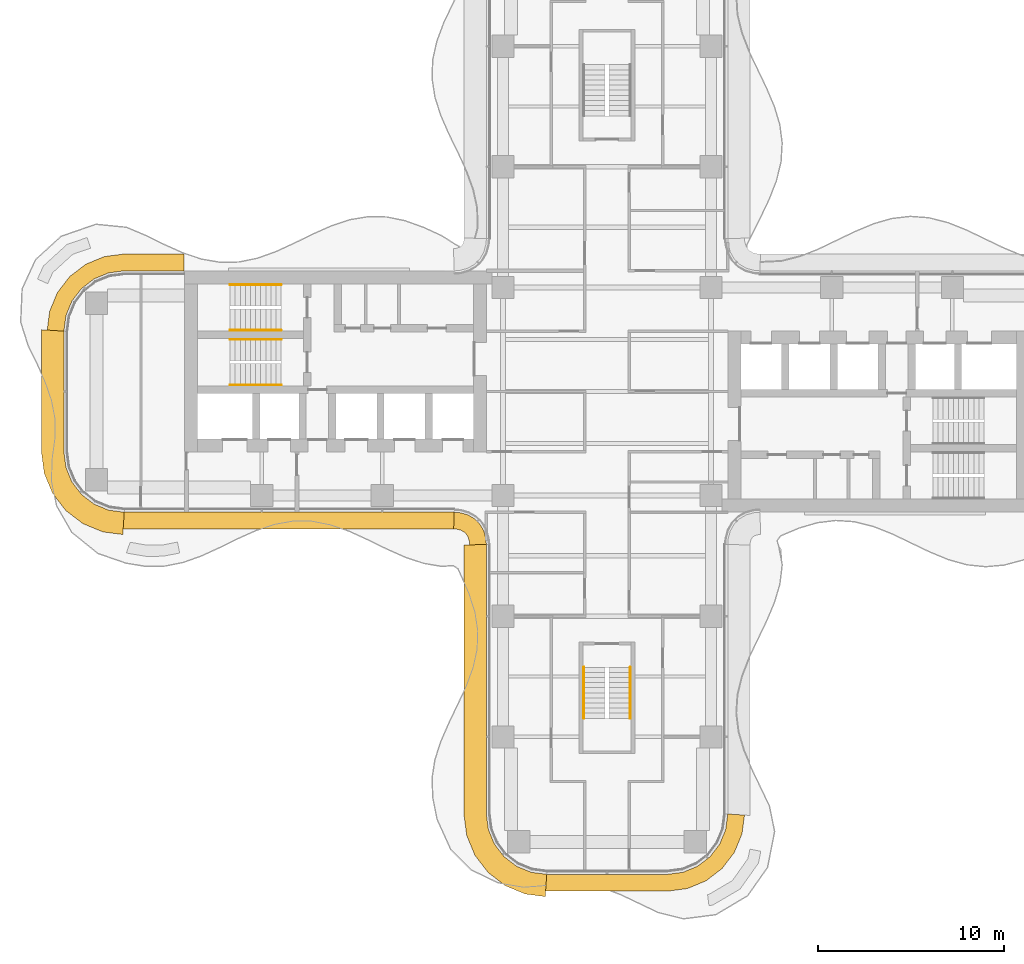
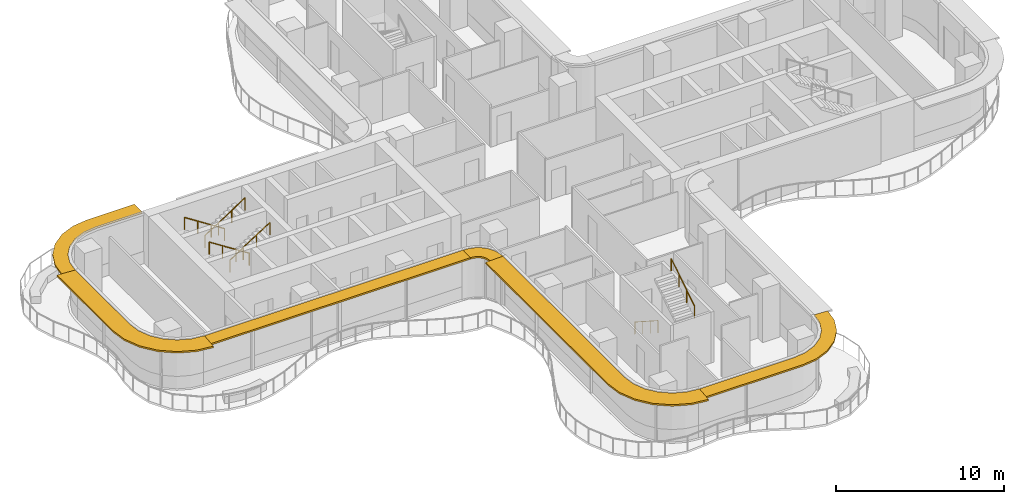
# One storey, part 16 of 17: 6 railings, 6 shading devices.
"""IFC4 building model written with IfcOpenShell, lengths in metres."""

from ifc_helpers import new_model, si_unit, direction, frame, origin, origin_2d, place, context, subcontext, project, spatial, polyline, circle, outline, extrude, source, transform, mapped, material, layer, layer_set, type_object, element, save


model = new_model("IFC4")

# Units and contexts
model_context = context("Model", 3, precision=1e-05, world=origin(), true_north=direction((0.0, 1.0)))
body_context = subcontext(model_context, "Body", "Model", "MODEL_VIEW")
ifc_project = project(units=[si_unit("LENGTHUNIT", "METRE"), si_unit("AREAUNIT", "SQUARE_METRE"), si_unit("VOLUMEUNIT", "CUBIC_METRE"), si_unit("PLANEANGLEUNIT", "RADIAN"), si_unit("MASSUNIT", "GRAM", prefix="KILO")], contexts=[model_context])

# Site, building, storey
site_placement = place(None, origin())
site = spatial("IfcSite", under=ifc_project, at=site_placement, CompositionType="ELEMENT")
building_placement = place(site_placement, origin())
building = spatial("IfcBuilding", under=site, at=building_placement, Name="Trellis Farm Tower", CompositionType="ELEMENT")
storey_placement = place(building_placement, frame((0.0, 0.0, 181.5)))
storey = spatial("IfcBuildingStorey", under=building, at=storey_placement, Name="L39", CompositionType="ELEMENT", Elevation=181.5)

# Railings
ifc_material_1 = material(Name="Stainless steel", Category="steel")
railing_type = type_object("IfcRailingType", Name="STAIR HANDRAIL 900", PredefinedType="HANDRAIL", material=ifc_material_1)
shared_shape_1 = source(origin(), body_context, "Body", "SweptSolid", [
    extrude(circle(Radius=0.02392578125, at=origin_2d()), frame((0.0, 0.0, 0.8759765625), z_axis=(0.0, 0.840503830235, 0.541805602924), x_axis=(-1.0, 0.0, 0.0)), (0.0, 0.0, 1.0), 3.271728515625),
    extrude(circle(Radius=0.02099609375, at=origin_2d()), origin(), (0.0, 0.0, 1.0), 0.851806640625),
    extrude(circle(Radius=0.02099609375, at=origin_2d()), frame((0.0, 0.916748046875, 0.5908203125)), (0.0, 0.0, 1.0), 0.851806640625),
    extrude(circle(Radius=0.02099609375, at=origin_2d()), frame((0.0, 1.833251953125, 1.181884765625)), (0.0, 0.0, 1.0), 0.851806640625),
    extrude(circle(Radius=0.02099609375, at=origin_2d()), frame((0.0, 2.75, 1.772705078125)), (0.0, 0.0, 1.0), 0.851806640625),
])
railing_1_placement = place(storey_placement, frame((1.25, -17.60009765625, 2.127197265625)))
element("IfcRailing", 1, at=railing_1_placement, inside=storey, type_object=railing_type, Name="Stair handrail", PredefinedType="HANDRAIL", context=body_context, shape_type="MappedRepresentation", body=[
    mapped(shared_shape_1, transform((0.0, 0.0, 0.0))),
])
shared_shape_2 = source(origin(), body_context, "Body", "SweptSolid", [
    extrude(circle(Radius=0.02392578125, at=origin_2d()), frame((0.0, 0.0, 0.8759765625), z_axis=(0.0, -0.840503830235, 0.541805602924), x_axis=(1.0, 0.0, 0.0)), (0.0, 0.0, 1.0), 3.271728515625),
    extrude(circle(Radius=0.02099609375, at=origin_2d()), origin(), (0.0, 0.0, 1.0), 0.851806640625),
    extrude(circle(Radius=0.02099609375, at=origin_2d()), frame((0.0, -0.916748046875, 0.5908203125)), (0.0, 0.0, 1.0), 0.851806640625),
    extrude(circle(Radius=0.02099609375, at=origin_2d()), frame((0.0, -1.833251953125, 1.181884765625)), (0.0, 0.0, 1.0), 0.851806640625),
    extrude(circle(Radius=0.02099609375, at=origin_2d()), frame((0.0, -2.75, 1.772705078125)), (0.0, 0.0, 1.0), 0.851806640625),
])
railing_2_placement = place(storey_placement, frame((-1.25, -14.85009765625, 0.17724609375)))
element("IfcRailing", 2, at=railing_2_placement, inside=storey, type_object=railing_type, Name="Stair handrail", PredefinedType="HANDRAIL", context=body_context, shape_type="MappedRepresentation", body=[
    mapped(shared_shape_2, transform((0.0, 0.0, 0.0))),
])
shared_shape_3 = source(origin(), body_context, "Body", "SweptSolid", [
    extrude(circle(Radius=0.02392578125, at=origin_2d()), frame((0.0, 0.0, 0.8759765625), z_axis=(0.840503830235, 0.0, 0.541805602924), x_axis=(0.0, 1.0, 0.0)), (0.0, 0.0, 1.0), 3.271728515625),
    extrude(circle(Radius=0.02099609375, at=origin_2d()), origin(), (0.0, 0.0, 1.0), 0.851806640625),
    extrude(circle(Radius=0.02099609375, at=origin_2d()), frame((0.916748046875, 0.0, 0.5908203125)), (0.0, 0.0, 1.0), 0.851806640625),
    extrude(circle(Radius=0.02099609375, at=origin_2d()), frame((1.833251953125, 0.0, 1.181884765625)), (0.0, 0.0, 1.0), 0.851806640625),
    extrude(circle(Radius=0.02099609375, at=origin_2d()), frame((2.75, 0.0, 1.772705078125)), (0.0, 0.0, 1.0), 0.851806640625),
])
for number, where, name in (
    (3, (-20.300048828125, 3.300048828125, 2.127197265625), "Stair handrail"),
    (4, (-20.300048828125, 0.35009765625, 2.127197265625), "Stair handrail"),
):
    element("IfcRailing", number, at=place(storey_placement, frame(where)), inside=storey, type_object=railing_type, Name=name, PredefinedType="HANDRAIL", context=body_context, shape_type="MappedRepresentation", body=[
        mapped(shared_shape_3, transform((0.0, 0.0, 0.0))),
    ])
shared_shape_4 = source(origin(), body_context, "Body", "SweptSolid", [
    extrude(circle(Radius=0.02392578125, at=origin_2d()), frame((0.0, 0.0, 0.8759765625), z_axis=(-0.840503830235, 0.0, 0.541805602924), x_axis=(0.0, -1.0, 0.0)), (0.0, 0.0, 1.0), 3.271728515625),
    extrude(circle(Radius=0.02099609375, at=origin_2d()), origin(), (0.0, 0.0, 1.0), 0.851806640625),
    extrude(circle(Radius=0.02099609375, at=origin_2d()), frame((-0.916748046875, 0.0, 0.5908203125)), (0.0, 0.0, 1.0), 0.851806640625),
    extrude(circle(Radius=0.02099609375, at=origin_2d()), frame((-1.833251953125, 0.0, 1.181884765625)), (0.0, 0.0, 1.0), 0.851806640625),
    extrude(circle(Radius=0.02099609375, at=origin_2d()), frame((-2.75, 0.0, 1.772705078125)), (0.0, 0.0, 1.0), 0.851806640625),
])
for number, where, name in (
    (5, (-17.550048828125, 5.75, 0.17724609375), "Stair handrail"),
    (6, (-17.550048828125, 2.800048828125, 0.17724609375), "Stair handrail"),
):
    element("IfcRailing", number, at=place(storey_placement, frame(where)), inside=storey, type_object=railing_type, Name=name, PredefinedType="HANDRAIL", context=body_context, shape_type="MappedRepresentation", body=[
        mapped(shared_shape_4, transform((0.0, 0.0, 0.0))),
    ])

# Shading devices
ifc_material_2 = material(Name="Aluminium extrusion 6063-T6", Category="aluminium")
ifc_layer_1 = layer(ifc_material_2, 0.1201171875)
ifc_layer_set_1 = layer_set([ifc_layer_1], Name="SUNSHADE BLADE 900")
shading_device_type_1 = type_object("IfcShadingDeviceType", Name="SUNSHADE BLADE 900", PredefinedType="USERDEFINED", material=ifc_layer_set_1)
shared_shape_5 = source(origin(), body_context, "Body", "SweptSolid", [
    extrude(outline(polyline([(-8.2607421875, -7.39990234375), (-8.107666015625, -7.409912109375), (-8.091552734375, -7.412109375), (-7.85595703125, -7.475341796875), (-7.697021484375, -7.567138671875), (-7.567138671875, -7.697021484375), (-7.475341796875, -7.85595703125), (-7.412109375, -8.091552734375), (-7.409912109375, -8.107666015625), (-7.39990234375, -8.2607421875), (-6.5, -8.2314453125), (-6.513916015625, -8.01953125), (-6.527587890625, -7.91552734375), (-6.63671875, -7.508544921875), (-6.846923828125, -7.144287109375), (-7.144287109375, -6.846923828125), (-7.508544921875, -6.63671875), (-7.91552734375, -6.527587890625), (-8.01953125, -6.513916015625), (-8.2314453125, -6.5), (-8.2607421875, -7.39990234375)])), origin(), (0.0, 0.0, 1.0), 0.119873046875),
])
placement = place(storey_placement, frame((0.0, 0.0, 3.5400390625)))
element("IfcShadingDevice", 7, at=placement, inside=storey, type_object=shading_device_type_1, Name="SD1 002", ObjectType="SUNSHADE", PredefinedType="USERDEFINED", context=body_context, shape_type="MappedRepresentation", body=[
    mapped(shared_shape_5, transform((0.0, 0.0, 0.0))),
])
ifc_layer_2 = layer(ifc_material_2, 0.1201171875)
ifc_layer_set_2 = layer_set([ifc_layer_2], Name="SUNSHADE BLADE 1200")
shading_device_type_2 = type_object("IfcShadingDeviceType", Name="SUNSHADE BLADE 1200", PredefinedType="USERDEFINED", material=ifc_layer_set_2)
shared_shape_6 = source(origin(), body_context, "Body", "SweptSolid", [
    extrude(outline(polyline([(-7.699951171875, -8.270751953125), (-7.699951171875, -22.82861328125), (-7.558349609375, -23.904541015625), (-7.11279296875, -24.980224609375), (-6.404052734375, -25.904052734375), (-5.480224609375, -26.61279296875), (-4.404541015625, -27.058349609375), (-3.32861328125, -27.199951171875), (-3.25, -26.0), (-4.091064453125, -25.88916015625), (-4.875, -25.564697265625), (-5.548095703125, -25.048095703125), (-6.064697265625, -24.375), (-6.38916015625, -23.591064453125), (-6.5, -22.75), (-6.5, -8.2314453125), (-7.699951171875, -8.270751953125)])), origin(), (0.0, 0.0, 1.0), 0.119873046875),
])
element("IfcShadingDevice", 8, at=placement, inside=storey, type_object=shading_device_type_2, Name="SD2 003", ObjectType="SUNSHADE", PredefinedType="USERDEFINED", context=body_context, shape_type="MappedRepresentation", body=[
    mapped(shared_shape_6, transform((0.0, 0.0, 0.0))),
])
shared_shape_7 = source(origin(), body_context, "Body", "SweptSolid", [
    extrude(outline(polyline([(-3.30908203125, -26.89990234375), (3.30908203125, -26.89990234375), (4.326171875, -26.76611328125), (5.328857421875, -26.350830078125), (6.18994140625, -25.68994140625), (6.850830078125, -24.828857421875), (7.26611328125, -23.826171875), (7.39990234375, -22.80908203125), (6.5, -22.75), (6.38916015625, -23.591064453125), (6.064697265625, -24.375), (5.548095703125, -25.048095703125), (4.875, -25.564697265625), (4.091064453125, -25.88916015625), (3.25, -26.0), (-3.25, -26.0), (-3.30908203125, -26.89990234375)])), origin(), (0.0, 0.0, 1.0), 0.119873046875),
])
element("IfcShadingDevice", 9, at=placement, inside=storey, type_object=shading_device_type_1, Name="SD1 004", ObjectType="SUNSHADE", PredefinedType="USERDEFINED", context=body_context, shape_type="MappedRepresentation", body=[
    mapped(shared_shape_7, transform((0.0, 0.0, 0.0))),
])
shared_shape_8 = source(origin(), body_context, "Body", "SweptSolid", [
    extrude(outline(polyline([(-26.05908203125, -7.39990234375), (-8.2607421875, -7.39990234375), (-8.2314453125, -6.5), (-26.0, -6.5), (-26.05908203125, -7.39990234375)])), origin(), (0.0, 0.0, 1.0), 0.119873046875),
])
element("IfcShadingDevice", 10, at=placement, inside=storey, type_object=shading_device_type_1, Name="SD1 001", ObjectType="SUNSHADE", PredefinedType="USERDEFINED", context=body_context, shape_type="MappedRepresentation", body=[
    mapped(shared_shape_8, transform((0.0, 0.0, 0.0))),
])
shared_shape_9 = source(origin(), body_context, "Body", "SweptSolid", [
    extrude(outline(polyline([(-22.780029296875, 7.39990234375), (-26.05908203125, 7.39990234375), (-27.076171875, 7.26611328125), (-28.078857421875, 6.850830078125), (-28.93994140625, 6.18994140625), (-29.600830078125, 5.328857421875), (-30.01611328125, 4.326171875), (-30.14990234375, 3.30908203125), (-29.25, 3.25), (-29.13916015625, 4.091064453125), (-28.814697265625, 4.875), (-28.298095703125, 5.548095703125), (-27.625, 6.064697265625), (-26.841064453125, 6.38916015625), (-26.0, 6.5), (-22.780029296875, 6.5), (-22.780029296875, 7.39990234375)])), origin(), (0.0, 0.0, 1.0), 0.119873046875),
])
element("IfcShadingDevice", 11, at=placement, inside=storey, type_object=shading_device_type_1, Name="SD1 015", ObjectType="SUNSHADE", PredefinedType="USERDEFINED", context=body_context, shape_type="MappedRepresentation", body=[
    mapped(shared_shape_9, transform((0.0, 0.0, 0.0))),
])
shared_shape_10 = source(origin(), body_context, "Body", "SweptSolid", [
    extrude(outline(polyline([(-30.449951171875, 3.32861328125), (-30.449951171875, -3.32861328125), (-30.308349609375, -4.404541015625), (-29.86279296875, -5.480224609375), (-29.154052734375, -6.404052734375), (-28.230224609375, -7.11279296875), (-27.154541015625, -7.558349609375), (-26.07861328125, -7.699951171875), (-26.0, -6.5), (-26.841064453125, -6.38916015625), (-27.625, -6.064697265625), (-28.298095703125, -5.548095703125), (-28.814697265625, -4.875), (-29.13916015625, -4.091064453125), (-29.25, -3.25), (-29.25, 3.25), (-30.449951171875, 3.32861328125)])), origin(), (0.0, 0.0, 1.0), 0.119873046875),
])
element("IfcShadingDevice", 12, at=placement, inside=storey, type_object=shading_device_type_2, Name="SD2 016", ObjectType="SUNSHADE", PredefinedType="USERDEFINED", context=body_context, shape_type="MappedRepresentation", body=[
    mapped(shared_shape_10, transform((0.0, 0.0, 0.0))),
])

save(model, "model.ifc")
